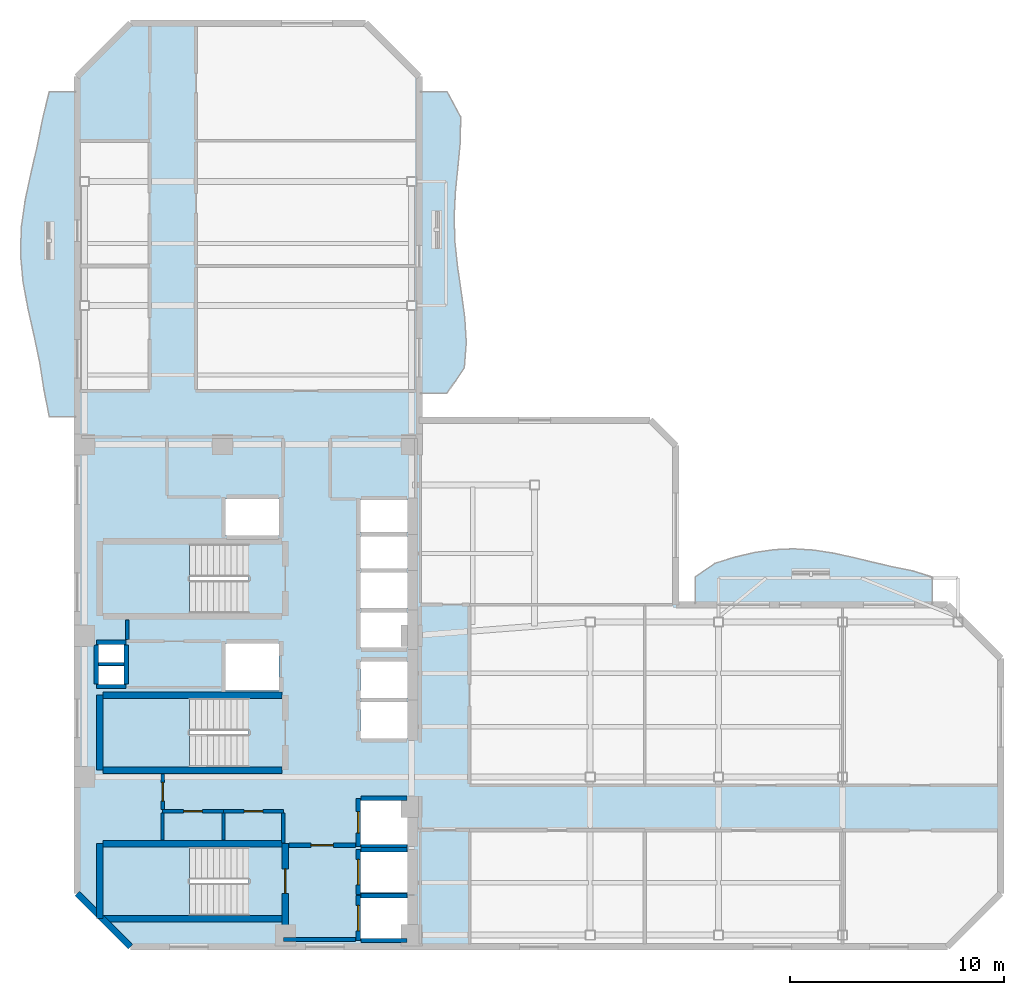
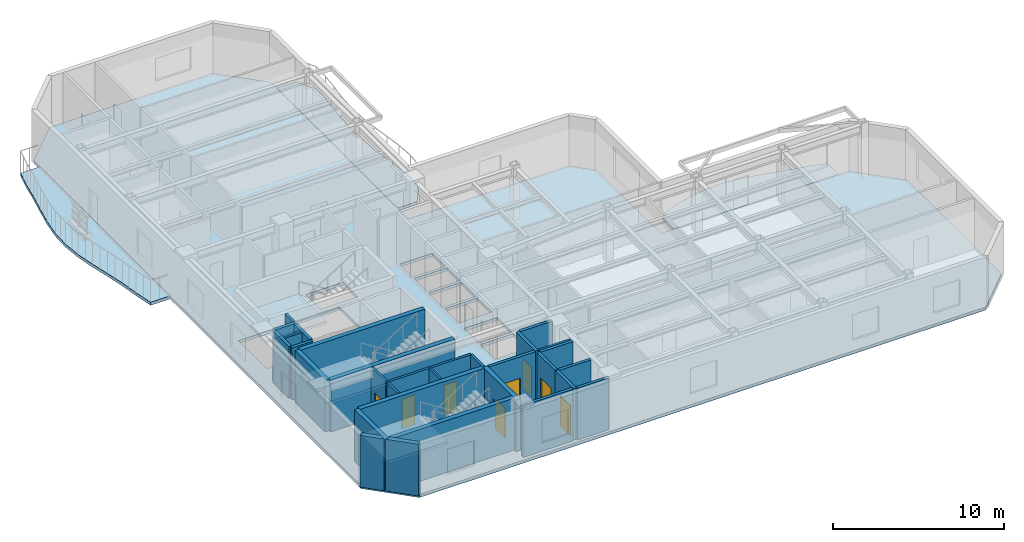
# One storey, part 2 of 9: 30 walls, 8 doors, 7 slabs, 8 openings, 3 elements without a shape of their own.
"""IFC4 building model written with IfcOpenShell, lengths in metres."""

import ifcopenshell
import ifcopenshell.guid

model = None  # the IFC model being written
_history = None  # IfcOwnerHistory: only IFC2X3 demands one
_inside = {}  # id of a spatial element -> (the spatial element, [elements in it])
_under = {}  # id of a project, library or spatial element -> (it, [spatial elements below it])
_declared = {}  # id of a project -> (the project, [libraries it declares])
_typed = {}  # id of a type object -> (the type object, [elements of that type])
_made_of = {}  # id of a material, layer set ... -> (it, [elements and type objects made of it])


def new_model(schema):
    """Start an empty IFC model of exactly this schema.

    Asked for "IFC4X3", IfcOpenShell would pick the latest addendum, in which some entities
    have other attributes; the version numbers below select the first issue.
    IFC2X3 requires an IfcOwnerHistory on every rooted entity: one is made here for all.
    """
    global model, _history
    if schema == "IFC4X3":
        model = ifcopenshell.file(schema_version=(4, 3, 0, 0))
    else:
        model = ifcopenshell.file(schema=schema)
    _inside.clear()
    _under.clear()
    _declared.clear()
    _typed.clear()
    _made_of.clear()
    _history = None
    if model.schema == "IFC2X3":
        org = make("IfcOrganization", Name="unknown")
        user = make(
            "IfcPersonAndOrganization",
            ThePerson=make("IfcPerson", FamilyName="unknown"),
            TheOrganization=org,
        )
        app = make(
            "IfcApplication",
            ApplicationDeveloper=org,
            Version="unknown",
            ApplicationFullName="unknown",
            ApplicationIdentifier="unknown",
        )
        _history = make(
            "IfcOwnerHistory",
            OwningUser=user,
            OwningApplication=app,
            ChangeAction="ADDED",
            CreationDate=0,
        )
    return model


def make(cls, **values):
    """One entity of the class cls with the attributes given. An attribute that is None is left unset."""
    return model.create_entity(
        cls, **{name: value for name, value in values.items() if value is not None}
    )


def rooted(cls, **values):
    """An entity with a GlobalId (a new one), such as an element, a storey or a relation."""
    return make(cls, GlobalId=ifcopenshell.guid.new(), OwnerHistory=_history, **values)


def si_unit(unit_type, name, prefix=None):
    """IfcSIUnit, for example si_unit("LENGTHUNIT", "METRE", prefix="MILLI")."""
    return make("IfcSIUnit", UnitType=unit_type, Prefix=prefix, Name=name)


def assignment(units):
    """IfcUnitAssignment: the units of a project."""
    return None if units is None else make("IfcUnitAssignment", Units=units)


def point(xyz):
    """IfcCartesianPoint."""
    return None if xyz is None else make("IfcCartesianPoint", Coordinates=xyz)


def direction(xyz):
    """IfcDirection."""
    return None if xyz is None else make("IfcDirection", DirectionRatios=xyz)


def frame(location, z_axis=None, x_axis=None):
    """IfcAxis2Placement3D, a coordinate frame: its origin and axes. An axis left out is left unset."""
    return make(
        "IfcAxis2Placement3D",
        Location=point(location),
        Axis=direction(z_axis),
        RefDirection=direction(x_axis),
    )


def frame_2d(location, x_axis=None):
    """IfcAxis2Placement2D, a coordinate frame in the plane: its origin and x axis."""
    return make(
        "IfcAxis2Placement2D", Location=point(location), RefDirection=direction(x_axis)
    )


def origin():
    """The frame at (0, 0, 0) with its axes left unset."""
    return frame((0.0, 0.0, 0.0))


def place(relative_to, where):
    """IfcLocalPlacement: puts the frame where relative to a parent placement (None: the world)."""
    return make(
        "IfcLocalPlacement", PlacementRelTo=relative_to, RelativePlacement=where
    )


def context(
    kind, dimensions, precision=None, world=None, true_north=None, identifier=None
):
    """IfcGeometricRepresentationContext, for example the 3D "Model" context."""
    return make(
        "IfcGeometricRepresentationContext",
        ContextIdentifier=identifier,
        ContextType=kind,
        CoordinateSpaceDimension=dimensions,
        Precision=precision,
        WorldCoordinateSystem=world,
        TrueNorth=true_north,
    )


def subcontext(parent, identifier, kind, view, scale=None):
    """IfcGeometricRepresentationSubContext, for example "Body" below "Model"."""
    return make(
        "IfcGeometricRepresentationSubContext",
        ContextIdentifier=identifier,
        ContextType=kind,
        ParentContext=parent,
        TargetScale=scale,
        TargetView=view,
    )


def project(units=None, contexts=None):
    """IfcProject with its units and contexts."""
    return rooted(
        "IfcProject",
        Name="project",
        RepresentationContexts=contexts,
        UnitsInContext=assignment(units),
    )


def spatial(cls, under=None, at=None, **own):
    """A site, building, storey or space (cls), placed at a placement, below another one or the project."""
    s = rooted(cls, ObjectPlacement=at, **own)
    if under is not None:
        _under.setdefault(under.id(), (under, []))[1].append(s)
    return s


def polyline(points):
    """IfcPolyline through the points."""
    return make("IfcPolyline", Points=[point(p) for p in points])


def profile(cls, at=None, kind="AREA", **sizes):
    """A parametric profile (cls). Its sizes go by their IFC names, for example OverallWidth=200.0."""
    return make(cls, ProfileType=kind, Position=at, **sizes)


def rectangle(**sizes):
    """IfcRectangleProfileDef."""
    return profile("IfcRectangleProfileDef", **sizes)


def outline(outer, holes=None, kind="AREA"):
    """IfcArbitraryClosedProfileDef: a profile drawn as a closed curve; with holes, ...WithVoids."""
    if holes is None:
        return make("IfcArbitraryClosedProfileDef", ProfileType=kind, OuterCurve=outer)
    return make(
        "IfcArbitraryProfileDefWithVoids",
        ProfileType=kind,
        OuterCurve=outer,
        InnerCurves=holes,
    )


def extrude(swept, where, along, depth):
    """IfcExtrudedAreaSolid: the profile swept, set in the frame where, extruded along a direction by depth."""
    return make(
        "IfcExtrudedAreaSolid",
        SweptArea=swept,
        Position=where,
        ExtrudedDirection=direction(along),
        Depth=depth,
    )


def shape(context_of_items, identifier, shape_type, items):
    """IfcShapeRepresentation: the items that make up one representation, for example the "Body"."""
    return make(
        "IfcShapeRepresentation",
        ContextOfItems=context_of_items,
        RepresentationIdentifier=identifier,
        RepresentationType=shape_type,
        Items=items,
    )


def material(Name=None, Category=None):
    """IfcMaterial."""
    return make("IfcMaterial", Name=Name, Category=Category)


def layer(
    of_material, thickness, ventilated=None, Name=None, Category=None, Priority=None
):
    """IfcMaterialLayer: one layer of a wall or slab, of a material (None: an air gap)."""
    return make(
        "IfcMaterialLayer",
        Material=of_material,
        LayerThickness=thickness,
        IsVentilated=ventilated,
        Name=Name,
        Category=Category,
        Priority=Priority,
    )


def layer_set(layers, Name=None):
    """IfcMaterialLayerSet."""
    return make("IfcMaterialLayerSet", MaterialLayers=layers, LayerSetName=Name)


def made_of(thing, what):
    """Note that an element or type object is made of a material, layer set ...; save() writes the relation."""
    if what is not None:
        _made_of.setdefault(what.id(), (what, []))[1].append(thing)
    return thing


def type_object(cls, material=None, **own):
    """A type object (cls), such as IfcWallType, which elements share."""
    return made_of(rooted(cls, **own), material)


def element(
    cls,
    number,
    at=None,
    inside=None,
    cuts=None,
    type_object=None,
    material=None,
    context=None,
    identifier="Body",
    shape_type=None,
    held_by="IfcProductDefinitionShape",
    body=None,
    shapes=None,
    **own,
):
    """One element of the class cls, such as IfcWall. Its Tag is "e" and its number.

    at: its placement. inside: the storey or other place that contains it. cuts: it is an
    opening in that element (IfcRelVoidsElement). A single representation is given by context,
    identifier, shape_type and body (its items); several are given by shapes. held_by: the class
    of the entity that holds the representations. save() writes the other relations.
    """
    e = rooted(cls, Tag="e%d" % number, ObjectPlacement=at, **own)
    if body is not None:
        shapes = [shape(context, identifier, shape_type, body)]
    if shapes is not None:
        e.Representation = make(held_by, Representations=shapes)
    if inside is not None:
        _inside.setdefault(inside.id(), (inside, []))[1].append(e)
    if cuts is not None:
        rooted(
            "IfcRelVoidsElement", RelatingBuildingElement=cuts, RelatedOpeningElement=e
        )
    if type_object is not None:
        _typed.setdefault(type_object.id(), (type_object, []))[1].append(e)
    return made_of(e, material)


def fill(opening, filler):
    """IfcRelFillsElement: the door or window that sits in an opening."""
    return rooted(
        "IfcRelFillsElement",
        RelatingOpeningElement=opening,
        RelatedBuildingElement=filler,
    )


def aggregate(whole, parts):
    """IfcRelAggregates: a whole, such as a stair, and the parts it consists of."""
    return rooted("IfcRelAggregates", RelatingObject=whole, RelatedObjects=parts)


def save(model, path):
    """Write the relations noted so far, then the file.

    IfcRelAggregates (storeys below a building ...), IfcRelContainedInSpatialStructure (elements
    in a storey), IfcRelDefinesByType, IfcRelAssociatesMaterial and IfcRelDeclares: one each for
    every whole, place, type object, material and project.
    """
    for whole, parts in _under.values():
        aggregate(whole, parts)
    for where, things in _inside.values():
        rooted(
            "IfcRelContainedInSpatialStructure",
            RelatedElements=things,
            RelatingStructure=where,
        )
    for kind, things in _typed.values():
        rooted("IfcRelDefinesByType", RelatedObjects=things, RelatingType=kind)
    for what, things in _made_of.values():
        rooted("IfcRelAssociatesMaterial", RelatedObjects=things, RelatingMaterial=what)
    for by, libraries in _declared.values():
        rooted("IfcRelDeclares", RelatingContext=by, RelatedDefinitions=libraries)
    model.write(path)


model = new_model("IFC4")

# Units and contexts
model_context = context("Model", 3, precision=1e-05, world=origin(), true_north=direction((0.0, 1.0)))
body_context = subcontext(model_context, "Body", "Model", "MODEL_VIEW")
ifc_project = project(units=[si_unit("LENGTHUNIT", "METRE"), si_unit("AREAUNIT", "SQUARE_METRE"), si_unit("VOLUMEUNIT", "CUBIC_METRE"), si_unit("PLANEANGLEUNIT", "RADIAN"), si_unit("MASSUNIT", "GRAM", prefix="KILO")], contexts=[model_context])

# Site, building, storey
site_placement = place(None, origin())
site = spatial("IfcSite", under=ifc_project, at=site_placement, CompositionType="ELEMENT")
building_placement = place(site_placement, origin())
building = spatial("IfcBuilding", under=site, at=building_placement, Name="Mawjaban Terraces University", CompositionType="ELEMENT")
storey_placement = place(building_placement, frame((0.0, 0.0, 175.800048828125)))
storey = spatial("IfcBuildingStorey", under=building, at=storey_placement, Name="L42", CompositionType="ELEMENT", Elevation=175.800048828125)

# Slabs
ifc_material_1 = material(Name="Concrete C40/50", Category="concrete")
ifc_layer_1 = layer(ifc_material_1, 0.2099609375)
ifc_layer_set_1 = layer_set([ifc_layer_1], Name="Concrete C40/50")
slab_type_1 = type_object("IfcSlabType", Name="BalconySlab_210_Ext", PredefinedType="FLOOR", material=ifc_layer_set_1)
slab_1_placement = place(storey_placement, frame((0.0, 0.0, -0.2099609375)))
element("IfcSlab", 1, at=slab_1_placement, inside=storey, type_object=slab_type_1, Name="L42 Planted Balcony Slab west", PredefinedType="FLOOR", context=body_context, shape_type="SweptSolid", body=[
    extrude(outline(polyline([(22.010009765625, 24.800048828125), (22.010009765625, 40.0), (20.699951171875, 40.0), (20.39111328125, 38.73291015625), (20.14111328125, 37.467041015625), (19.847900390625, 36.199951171875), (19.575927734375, 34.93310546875), (19.39501953125, 33.6669921875), (19.35595703125, 32.39990234375), (19.469970703125, 31.133056640625), (19.701904296875, 29.866943359375), (19.988037109375, 28.60009765625), (20.25390625, 27.3330078125), (20.450927734375, 26.06689453125), (20.699951171875, 24.800048828125), (22.010009765625, 24.800048828125)])), origin(), (0.0, 0.0, 1.0), 0.2099609375),
])
slab_2_placement = place(storey_placement, frame((0.0, 0.0, -0.2099609375)))
element("IfcSlab", 2, at=slab_2_placement, inside=storey, type_object=slab_type_1, Name="L42 Planted Balcony Slab inner_north", PredefinedType="FLOOR", context=body_context, shape_type="SweptSolid", body=[
    extrude(outline(polyline([(50.89990234375, 15.989990234375), (62.0, 15.989990234375), (62.0, 17.300048828125), (61.074951171875, 17.587890625), (60.14990234375, 17.77490234375), (59.22509765625, 17.989990234375), (58.300048828125, 18.215087890625), (57.375, 18.416015625), (56.449951171875, 18.55908203125), (55.52490234375, 18.618896484375), (54.60009765625, 18.580078125), (53.675048828125, 18.445068359375), (52.75, 18.22607421875), (51.824951171875, 17.93798828125), (50.89990234375, 17.300048828125), (50.89990234375, 15.989990234375)])), origin(), (0.0, 0.0, 1.0), 0.2099609375),
])
slab_3_placement = place(storey_placement, frame((0.0, 0.0, -0.2099609375)))
element("IfcSlab", 3, at=slab_3_placement, inside=storey, type_object=slab_type_1, Name="L42 Planted Balcony Slab inner_east", PredefinedType="FLOOR", context=body_context, shape_type="SweptSolid", body=[
    extrude(outline(polyline([(39.300048828125, 25.89990234375), (40.10791015625, 27.074951171875), (40.201904296875, 28.25), (40.131103515625, 29.425048828125), (39.971923828125, 30.60009765625), (39.798095703125, 31.77490234375), (39.672119140625, 32.949951171875), (39.635009765625, 34.125), (39.69189453125, 35.300048828125), (39.80908203125, 36.47509765625), (39.923095703125, 37.64990234375), (39.93798828125, 38.824951171875), (39.300048828125, 40.0), (37.989990234375, 40.0), (37.989990234375, 25.89990234375), (39.300048828125, 25.89990234375)])), origin(), (0.0, 0.0, 1.0), 0.2099609375),
])
ifc_layer_2 = layer(ifc_material_1, 0.2099609375)
ifc_layer_set_2 = layer_set([ifc_layer_2], Name="Concrete C40/50")
slab_type_2 = type_object("IfcSlabType", Name="CompositeSlab_210", PredefinedType="FLOOR", material=ifc_layer_set_2)
slab_4_placement = place(storey_placement, frame((0.0, 0.0, -0.2099609375)))
element("IfcSlab", 4, at=slab_4_placement, inside=storey, type_object=slab_type_2, Name="L42 Primary Structural Slab", PredefinedType="FLOOR", context=body_context, shape_type="SweptSolid", body=[
    extrude(outline(polyline([(24.5, 0.0), (62.699951171875, 0.0), (65.199951171875, 2.5), (65.199951171875, 13.5), (62.699951171875, 16.0), (50.0, 16.0), (50.0, 23.43994140625), (48.800048828125, 24.639892578125), (38.0, 24.639892578125), (38.0, 40.699951171875), (35.5, 43.199951171875), (24.5, 43.199951171875), (22.0, 40.699951171875), (22.0, 2.5), (24.5, 0.0)]), holes=[polyline([(30.014892578125, 4.699951171875), (23.199951171875, 4.699951171875), (23.199951171875, 1.449951171875), (30.014892578125, 1.449951171875), (30.014892578125, 4.699951171875)]), polyline([(30.014892578125, 18.85009765625), (23.199951171875, 18.85009765625), (23.199951171875, 15.60009765625), (30.014892578125, 15.60009765625), (30.014892578125, 18.85009765625)]), polyline([(30.014892578125, 11.64990234375), (23.199951171875, 11.64990234375), (23.199951171875, 8.39990234375), (30.014892578125, 8.39990234375), (30.014892578125, 11.64990234375)]), polyline([(35.25, 0.39990234375), (37.449951171875, 0.39990234375), (37.449951171875, 2.300048828125), (35.25, 2.300048828125), (35.25, 0.39990234375)]), polyline([(35.25, 2.550048828125), (37.449951171875, 2.550048828125), (37.449951171875, 4.449951171875), (35.25, 4.449951171875), (35.25, 2.550048828125)]), polyline([(35.25, 4.800048828125), (37.449951171875, 4.800048828125), (37.449951171875, 6.85009765625), (35.25, 6.85009765625), (35.25, 4.800048828125)]), polyline([(35.25, 9.75), (37.449951171875, 9.75), (37.449951171875, 11.449951171875), (35.25, 11.449951171875), (35.25, 9.75)]), polyline([(35.25, 11.64990234375), (37.449951171875, 11.64990234375), (37.449951171875, 13.35009765625), (35.25, 13.35009765625), (35.25, 11.64990234375)]), polyline([(28.949951171875, 12.0), (31.449951171875, 12.0), (31.449951171875, 14.199951171875), (28.949951171875, 14.199951171875), (28.949951171875, 12.0)]), polyline([(35.25, 14.0), (37.449951171875, 14.0), (37.449951171875, 15.64990234375), (35.25, 15.64990234375), (35.25, 14.0)]), polyline([(35.25, 15.85009765625), (37.449951171875, 15.85009765625), (37.449951171875, 17.5), (35.25, 17.5), (35.25, 15.85009765625)]), polyline([(35.25, 17.699951171875), (37.449951171875, 17.699951171875), (37.449951171875, 19.199951171875), (35.25, 19.199951171875), (35.25, 17.699951171875)]), polyline([(35.25, 19.39990234375), (37.449951171875, 19.39990234375), (37.449951171875, 20.89990234375), (35.25, 20.89990234375), (35.25, 19.39990234375)]), polyline([(28.949951171875, 19.25), (31.449951171875, 19.25), (31.449951171875, 20.949951171875), (28.949951171875, 20.949951171875), (28.949951171875, 19.25)]), polyline([(23.0, 12.25), (24.199951171875, 12.25), (24.199951171875, 13.14990234375), (23.0, 13.14990234375), (23.0, 12.25)]), polyline([(23.0, 13.300048828125), (24.199951171875, 13.300048828125), (24.199951171875, 14.179931640625), (23.0, 14.179931640625), (23.0, 13.300048828125)])]), origin(), (0.0, 0.0, 1.0), 0.2099609375),
])

# Stair, slab
stair_type = type_object("IfcStairType", Name="Stair_Core1550_H39", PredefinedType="HALF_TURN_STAIR", material=ifc_material_1)
stair_1_placement = place(storey_placement, origin())
stair_1 = element("IfcStair", 5, at=stair_1_placement, inside=storey, type_object=stair_type, Name="L42 Core Exit Stair 1", PredefinedType="HALF_TURN_STAIR")
ifc_layer_3 = layer(ifc_material_1, 0.199951171875)
ifc_layer_set_3 = layer_set([ifc_layer_3], Name="Concrete C40/50")
slab_type_3 = type_object("IfcSlabType", Name="StairLandingSlab_200", PredefinedType="LANDING", material=ifc_layer_set_3)
slab_5_placement = place(storey_placement, frame((0.0, 0.0, 1.75)))
slab_5 = element("IfcSlab", 6, at=slab_5_placement, type_object=slab_type_3, Name="ST-1 landing 1", PredefinedType="LANDING", context=body_context, shape_type="SweptSolid", body=[
    extrude(outline(polyline([(27.25, 4.699951171875), (23.199951171875, 4.699951171875), (23.199951171875, 1.449951171875), (27.25, 1.449951171875), (27.25, 4.699951171875)])), origin(), (0.0, 0.0, 1.0), 0.199951171875),
])
aggregate(stair_1, [slab_5])

stair_2_placement = place(storey_placement, origin())
stair_2 = element("IfcStair", 7, at=stair_2_placement, inside=storey, type_object=stair_type, Name="L42 Core Exit Stair 2", PredefinedType="HALF_TURN_STAIR")
slab_6_placement = place(storey_placement, frame((0.0, 0.0, 1.75)))
slab_6 = element("IfcSlab", 8, at=slab_6_placement, type_object=slab_type_3, Name="ST-2 landing 1", PredefinedType="LANDING", context=body_context, shape_type="SweptSolid", body=[
    extrude(outline(polyline([(27.25, 18.85009765625), (23.199951171875, 18.85009765625), (23.199951171875, 15.60009765625), (27.25, 15.60009765625), (27.25, 18.85009765625)])), origin(), (0.0, 0.0, 1.0), 0.199951171875),
])
aggregate(stair_2, [slab_6])

stair_3_placement = place(storey_placement, origin())
stair_3 = element("IfcStair", 9, at=stair_3_placement, inside=storey, type_object=stair_type, Name="L42 Core Exit Stair 3", PredefinedType="HALF_TURN_STAIR")
slab_7_placement = place(storey_placement, frame((0.0, 0.0, 1.75)))
slab_7 = element("IfcSlab", 10, at=slab_7_placement, type_object=slab_type_3, Name="ST-3 landing 1", PredefinedType="LANDING", context=body_context, shape_type="SweptSolid", body=[
    extrude(outline(polyline([(27.25, 11.64990234375), (23.199951171875, 11.64990234375), (23.199951171875, 8.39990234375), (27.25, 8.39990234375), (27.25, 11.64990234375)])), origin(), (0.0, 0.0, 1.0), 0.199951171875),
])
aggregate(stair_3, [slab_7])

# Wall, opening, door
ifc_material_2 = material(Name="Fire-rated gypsum board on steel stud", Category="steel")
ifc_layer_4 = layer(ifc_material_2, 0.159912109375)
ifc_layer_set_4 = layer_set([ifc_layer_4], Name="Fire-rated gypsum board on steel stud")
wall_type_1 = type_object("IfcWallType", Name="CorridorPartition_160", PredefinedType="PARTITIONING", material=ifc_layer_set_4)
wall_1_placement = place(storey_placement, frame((26.0, 6.35009765625, 0.0), z_axis=(0.0, 0.0, 1.0), x_axis=(1.0, 0.0, 0.0)))
wall_1 = element("IfcWall", 11, at=wall_1_placement, inside=storey, type_object=wall_type_1, Name="L42 Core Washroom Lobby Partition 6", PredefinedType="PARTITIONING", context=body_context, shape_type="SweptSolid", body=[
    extrude(rectangle(XDim=2.85009765625, YDim=0.159912109375, at=frame_2d((1.425048828125, 0.0))), origin(), (0.0, 0.0, 1.0), 3.68994140625),
])
opening_1_placement = place(wall_1_placement, frame((0.985107421875, 0.0, 0.0)))
opening_1 = element("IfcOpeningElement", 12, at=opening_1_placement, cuts=wall_1, Name="Opening ID-088", PredefinedType="OPENING", context=body_context, shape_type="SweptSolid", body=[
    extrude(rectangle(XDim=0.8798828125, YDim=2.10009765625, at=frame_2d((0.43994140625, 1.050048828125))), frame((0.0, 0.08984375, 0.0), z_axis=(0.0, -1.0, 0.0), x_axis=(1.0, 0.0, 0.0)), (0.0, 0.0, 1.0), 0.179931640625),
])
ifc_material_3 = material(Name="Powder-coated steel frame and solid acoustic timber leaf", Category="steel")
door_type_1 = type_object("IfcDoorType", Name="ToiletDoor_880x2100", OperationType="NOTDEFINED", PredefinedType="DOOR", material=ifc_material_3)
door_1_placement = place(opening_1_placement, origin())
door_1 = element("IfcDoor", 13, at=door_1_placement, inside=storey, type_object=door_type_1, Name="L42 Male Toilet Door", OperationType="SINGLE_SWING_RIGHT", OverallHeight=2.10009765625, OverallWidth=0.8798828125, PredefinedType="DOOR", context=body_context, shape_type="SweptSolid", body=[
    extrude(rectangle(XDim=0.8798828125, YDim=2.10009765625, at=frame_2d((0.43994140625, 1.050048828125))), frame((0.0, 0.02490234375, 0.0), z_axis=(0.0, -1.0, 0.0), x_axis=(1.0, 0.0, 0.0)), (0.0, 0.0, 1.0), 0.050048828125),
])
fill(opening_1, door_1)

wall_2_placement = place(storey_placement, frame((28.85009765625, 6.35009765625, 0.0), z_axis=(0.0, 0.0, 1.0), x_axis=(1.0, 0.0, 0.0)))
wall_2 = element("IfcWall", 14, at=wall_2_placement, inside=storey, type_object=wall_type_1, Name="L42 Core Washroom Lobby Partition 9", PredefinedType="PARTITIONING", context=body_context, shape_type="SweptSolid", body=[
    extrude(rectangle(XDim=2.7998046875, YDim=0.159912109375, at=frame_2d((1.39990234375, 0.0))), origin(), (0.0, 0.0, 1.0), 3.68994140625),
])
opening_2_placement = place(wall_2_placement, frame((0.9599609375, 0.0, 0.0)))
opening_2 = element("IfcOpeningElement", 15, at=opening_2_placement, cuts=wall_2, Name="Opening ID-088", PredefinedType="OPENING", context=body_context, shape_type="SweptSolid", body=[
    extrude(rectangle(XDim=0.8798828125, YDim=2.10009765625, at=frame_2d((0.43994140625, 1.050048828125))), frame((0.0, 0.08984375, 0.0), z_axis=(0.0, -1.0, 0.0), x_axis=(1.0, 0.0, 0.0)), (0.0, 0.0, 1.0), 0.179931640625),
])
door_2_placement = place(opening_2_placement, origin())
door_2 = element("IfcDoor", 16, at=door_2_placement, inside=storey, type_object=door_type_1, Name="L42 Accessible Toilet Door", OperationType="SINGLE_SWING_LEFT", OverallHeight=2.10009765625, OverallWidth=0.8798828125, PredefinedType="DOOR", context=body_context, shape_type="SweptSolid", body=[
    extrude(rectangle(XDim=0.8798828125, YDim=2.10009765625, at=frame_2d((0.43994140625, 1.050048828125))), frame((0.0, 0.02490234375, 0.0), z_axis=(0.0, -1.0, 0.0), x_axis=(1.0, 0.0, 0.0)), (0.0, 0.0, 1.0), 0.050048828125),
])
fill(opening_2, door_2)

# Wall
wall_3_placement = place(storey_placement, frame((24.35009765625, 15.2900390625, 0.0), z_axis=(0.0, 0.0, 1.0), x_axis=(0.0, -1.0, 0.0)))
element("IfcWall", 17, at=wall_3_placement, inside=storey, type_object=wall_type_1, Name="L42 Core Riser Access Passage Partition 28", PredefinedType="PARTITIONING", context=body_context, shape_type="SweptSolid", body=[
    extrude(rectangle(XDim=0.9150390625, YDim=0.159912109375, at=frame_2d((0.45751953125, 0.0))), origin(), (0.0, 0.0, 1.0), 3.68994140625),
])

# Wall, opening, door
wall_4_placement = place(storey_placement, frame((26.0, 8.090087890625, 0.0), z_axis=(0.0, 0.0, 1.0), x_axis=(0.0, -1.0, 0.0)))
wall_4 = element("IfcWall", 18, at=wall_4_placement, inside=storey, type_object=wall_type_1, Name="L42 Core Washroom Lobby Partition 33", PredefinedType="PARTITIONING", context=body_context, shape_type="SweptSolid", body=[
    extrude(rectangle(XDim=1.6650390625, YDim=0.159912109375, at=frame_2d((0.83251953125, 0.0))), origin(), (0.0, 0.0, 1.0), 3.68994140625),
])
opening_3_placement = place(wall_4_placement, frame((0.39306640625, 0.0, 0.0)))
opening_3 = element("IfcOpeningElement", 19, at=opening_3_placement, cuts=wall_4, Name="Opening ID-088", PredefinedType="OPENING", context=body_context, shape_type="SweptSolid", body=[
    extrude(rectangle(XDim=0.8798828125, YDim=2.10009765625, at=frame_2d((0.43994140625, 1.050048828125))), frame((0.0, 0.08984375, 0.0), z_axis=(0.0, -1.0, 0.0), x_axis=(1.0, 0.0, 0.0)), (0.0, 0.0, 1.0), 0.179931640625),
])
door_3_placement = place(opening_3_placement, origin())
door_3 = element("IfcDoor", 20, at=door_3_placement, inside=storey, type_object=door_type_1, Name="L42 Ablution Room Door", OperationType="SINGLE_SWING_LEFT", OverallHeight=2.10009765625, OverallWidth=0.8798828125, PredefinedType="DOOR", context=body_context, shape_type="SweptSolid", body=[
    extrude(rectangle(XDim=0.8798828125, YDim=2.10009765625, at=frame_2d((0.43994140625, 1.050048828125))), frame((0.0, 0.02490234375, 0.0), z_axis=(0.0, -1.0, 0.0), x_axis=(1.0, 0.0, 0.0)), (0.0, 0.0, 1.0), 0.050048828125),
])
fill(opening_3, door_3)

# Walls
wall_5_placement = place(storey_placement, frame((31.64990234375, 4.860107421875, 0.0), z_axis=(0.0, 0.0, 1.0), x_axis=(0.0, 1.0, 0.0)))
element("IfcWall", 21, at=wall_5_placement, inside=storey, type_object=wall_type_1, Name="L42 Accessible Toilet Partition 39", PredefinedType="PARTITIONING", context=body_context, shape_type="SweptSolid", body=[
    extrude(rectangle(XDim=1.414794921875, YDim=0.159912109375, at=frame_2d((0.70751953125, 0.0))), origin(), (0.0, 0.0, 1.0), 3.68994140625),
])
ifc_material_4 = material(Name="Insulated terracotta rainscreen on concrete backup C40/50", Category="masonry")
ifc_layer_5 = layer(ifc_material_4, 0.300048828125)
ifc_layer_set_5 = layer_set([ifc_layer_5], Name="Insulated terracotta rainscreen on concrete backup C40/50")
wall_type_2 = type_object("IfcWallType", Name="ExtTerracottaWall_300", PredefinedType="SOLIDWALL", material=ifc_layer_set_5)
wall_6_placement = place(storey_placement, frame((22.0, 2.5, 0.0), z_axis=(0.0, 0.0, 1.0), x_axis=(0.707106781187, -0.707106781187, 0.0)))
element("IfcWall", 22, at=wall_6_placement, inside=storey, type_object=wall_type_2, Name="L42 Exterior Terracotta Wall 14", PredefinedType="SOLIDWALL", context=body_context, shape_type="SweptSolid", body=[
    extrude(rectangle(XDim=3.53564453125, YDim=0.300048828125, at=frame_2d((1.767822265625, 0.0))), origin(), (0.0, 0.0, 1.0), 3.68994140625),
])

# Wall, opening, door
ifc_layer_6 = layer(ifc_material_1, 0.199951171875)
ifc_layer_set_6 = layer_set([ifc_layer_6], Name="Concrete C40/50")
wall_type_3 = type_object("IfcWallType", Name="FireLobbyWall_200", PredefinedType="SOLIDWALL", material=ifc_layer_set_6)
wall_7_placement = place(storey_placement, frame((35.14990234375, 2.39990234375, 0.0), z_axis=(0.0, 0.0, 1.0), x_axis=(0.0, -1.0, 0.0)))
wall_7 = element("IfcWall", 23, at=wall_7_placement, inside=storey, type_object=wall_type_3, Name="L42 Lift FL-1 Hoistway Wall West", PredefinedType="SOLIDWALL", context=body_context, shape_type="SweptSolid", body=[
    extrude(rectangle(XDim=2.099853515625, YDim=0.199951171875, at=frame_2d((1.0498046875, 0.0))), origin(), (0.0, 0.0, 1.0), 3.68994140625),
])
opening_4_placement = place(wall_7_placement, frame((0.449951171875, 0.0, 0.0)))
opening_4 = element("IfcOpeningElement", 24, at=opening_4_placement, cuts=wall_7, Name="Opening LD-FL-1", PredefinedType="OPENING", context=body_context, shape_type="SweptSolid", body=[
    extrude(rectangle(XDim=1.199951171875, YDim=2.14990234375, at=frame_2d((0.60009765625, 1.074951171875))), frame((0.0, 0.10986328125, 0.0), z_axis=(0.0, -1.0, 0.0), x_axis=(1.0, 0.0, 0.0)), (0.0, 0.0, 1.0), 0.219970703125),
])
ifc_material_5 = material(Name="Powder-coated steel frame and fire-rated steel-faced leaf", Category="steel")
door_type_2 = type_object("IfcDoorType", Name="LiftLandingFSAE_1200x2150", OperationType="NOTDEFINED", PredefinedType="DOOR", material=ifc_material_5)
door_4_placement = place(opening_4_placement, origin())
door_4 = element("IfcDoor", 25, at=door_4_placement, inside=storey, type_object=door_type_2, Name="L42 Lift FL-1 Sliding Landing Door", OperationType="DOUBLE_DOOR_SLIDING", OverallHeight=2.14990234375, OverallWidth=1.199951171875, PredefinedType="DOOR", context=body_context, shape_type="SweptSolid", body=[
    extrude(rectangle(XDim=1.199951171875, YDim=2.14990234375, at=frame_2d((0.60009765625, 1.074951171875))), frame((0.0, 0.02490234375, 0.0), z_axis=(0.0, -1.0, 0.0), x_axis=(1.0, 0.0, 0.0)), (0.0, 0.0, 1.0), 0.050048828125),
])
fill(opening_4, door_4)

# Walls
for number, where, z_axis, x_axis, name in (
    (26, (35.280029296875, 0.300048828125, 0.0), (0.0, 0.0, 1.0), (1.0, 0.0, 0.0), "L42 Lift FL-1 Hoistway Wall South"),
    (27, (37.419921875, 2.39990234375, 0.0), (0.0, 0.0, 1.0), (-1.0, 0.0, 0.0), "L42 Lift FL-1 Hoistway Wall North"),
):
    element("IfcWall", number, at=place(storey_placement, frame(where, z_axis=z_axis, x_axis=x_axis)), inside=storey, type_object=wall_type_3, Name=name, PredefinedType="SOLIDWALL", context=body_context, shape_type="SweptSolid", body=[
        extrude(rectangle(XDim=2.139892578125, YDim=0.199951171875, at=frame_2d((1.06982421875, 0.0))), origin(), (0.0, 0.0, 1.0), 3.68994140625),
    ])

# Wall, opening, door
wall_8_placement = place(storey_placement, frame((35.14990234375, 4.550048828125, 0.0), z_axis=(0.0, 0.0, 1.0), x_axis=(0.0, -1.0, 0.0)))
wall_8 = element("IfcWall", 28, at=wall_8_placement, inside=storey, type_object=wall_type_3, Name="L42 Lift FL-2 Hoistway Wall West", PredefinedType="SOLIDWALL", context=body_context, shape_type="SweptSolid", body=[
    extrude(rectangle(XDim=2.10009765625, YDim=0.199951171875, at=frame_2d((1.050048828125, 0.0))), origin(), (0.0, 0.0, 1.0), 3.68994140625),
])
opening_5_placement = place(wall_8_placement, frame((0.449951171875, 0.0, 0.0)))
opening_5 = element("IfcOpeningElement", 29, at=opening_5_placement, cuts=wall_8, Name="Opening LD-FL-2", PredefinedType="OPENING", context=body_context, shape_type="SweptSolid", body=[
    extrude(rectangle(XDim=1.199951171875, YDim=2.14990234375, at=frame_2d((0.60009765625, 1.074951171875))), frame((0.0, 0.10986328125, 0.0), z_axis=(0.0, -1.0, 0.0), x_axis=(1.0, 0.0, 0.0)), (0.0, 0.0, 1.0), 0.219970703125),
])
door_5_placement = place(opening_5_placement, origin())
door_5 = element("IfcDoor", 30, at=door_5_placement, inside=storey, type_object=door_type_2, Name="L42 Lift FL-2 Sliding Landing Door", OperationType="DOUBLE_DOOR_SLIDING", OverallHeight=2.14990234375, OverallWidth=1.199951171875, PredefinedType="DOOR", context=body_context, shape_type="SweptSolid", body=[
    extrude(rectangle(XDim=1.199951171875, YDim=2.14990234375, at=frame_2d((0.60009765625, 1.074951171875))), frame((0.0, 0.02490234375, 0.0), z_axis=(0.0, -1.0, 0.0), x_axis=(1.0, 0.0, 0.0)), (0.0, 0.0, 1.0), 0.050048828125),
])
fill(opening_5, door_5)

# Wall
wall_9_placement = place(storey_placement, frame((37.419921875, 4.550048828125, 0.0), z_axis=(0.0, 0.0, 1.0), x_axis=(-1.0, 0.0, 0.0)))
element("IfcWall", 31, at=wall_9_placement, inside=storey, type_object=wall_type_3, Name="L42 Lift FL-2 Hoistway Wall North", PredefinedType="SOLIDWALL", context=body_context, shape_type="SweptSolid", body=[
    extrude(rectangle(XDim=2.139892578125, YDim=0.199951171875, at=frame_2d((1.06982421875, 0.0))), origin(), (0.0, 0.0, 1.0), 3.68994140625),
])

# Wall, opening, door
wall_10_placement = place(storey_placement, frame((35.14990234375, 6.949951171875, 0.0), z_axis=(0.0, 0.0, 1.0), x_axis=(0.0, -1.0, 0.0)))
wall_10 = element("IfcWall", 32, at=wall_10_placement, inside=storey, type_object=wall_type_3, Name="L42 Lift SL-1 Hoistway Wall West", PredefinedType="SOLIDWALL", context=body_context, shape_type="SweptSolid", body=[
    extrude(rectangle(XDim=2.25, YDim=0.199951171875, at=frame_2d((1.125, 0.0))), origin(), (0.0, 0.0, 1.0), 3.68994140625),
])
opening_6_placement = place(wall_10_placement, frame((0.625, 0.0, 0.0)))
opening_6 = element("IfcOpeningElement", 33, at=opening_6_placement, cuts=wall_10, Name="Opening LD-SL-1", PredefinedType="OPENING", context=body_context, shape_type="SweptSolid", body=[
    extrude(rectangle(XDim=1.0, YDim=2.10009765625, at=frame_2d((0.5, 1.050048828125))), frame((0.0, 0.10986328125, 0.0), z_axis=(0.0, -1.0, 0.0), x_axis=(1.0, 0.0, 0.0)), (0.0, 0.0, 1.0), 0.219970703125),
])
door_type_3 = type_object("IfcDoorType", Name="LiftLandingSliding_1000x2100", OperationType="NOTDEFINED", PredefinedType="DOOR", material=ifc_material_5)
door_6_placement = place(opening_6_placement, origin())
door_6 = element("IfcDoor", 34, at=door_6_placement, inside=storey, type_object=door_type_3, Name="L42 Lift SL-1 Sliding Landing Door", OperationType="DOUBLE_DOOR_SLIDING", OverallHeight=2.10009765625, OverallWidth=1.0, PredefinedType="DOOR", context=body_context, shape_type="SweptSolid", body=[
    extrude(rectangle(XDim=1.0, YDim=2.10009765625, at=frame_2d((0.5, 1.050048828125))), frame((0.0, 0.02490234375, 0.0), z_axis=(0.0, -1.0, 0.0), x_axis=(1.0, 0.0, 0.0)), (0.0, 0.0, 1.0), 0.050048828125),
])
fill(opening_6, door_6)

# Walls
for number, where, z_axis, x_axis, name in (
    (35, (35.280029296875, 4.699951171875, 0.0), (0.0, 0.0, 1.0), (1.0, 0.0, 0.0), "L42 Lift SL-1 Hoistway Wall South"),
    (36, (37.419921875, 6.949951171875, 0.0), (0.0, 0.0, 1.0), (-1.0, 0.0, 0.0), "L42 Lift SL-1 Hoistway Wall North"),
):
    element("IfcWall", number, at=place(storey_placement, frame(where, z_axis=z_axis, x_axis=x_axis)), inside=storey, type_object=wall_type_3, Name=name, PredefinedType="SOLIDWALL", context=body_context, shape_type="SweptSolid", body=[
        extrude(rectangle(XDim=2.139892578125, YDim=0.199951171875, at=frame_2d((1.06982421875, 0.0))), origin(), (0.0, 0.0, 1.0), 3.68994140625),
    ])
for number, where, z_axis, x_axis, name in (
    (37, (22.89990234375, 14.25, 0.0), (0.0, 0.0, 1.0), (1.0, 0.0, 0.0), "L42 MEP Riser Shaft Wall N"),
    (38, (22.89990234375, 12.179931640625, 0.0), (0.0, 0.0, 1.0), (1.0, 0.0, 0.0), "L42 MEP Riser Shaft Wall S"),
):
    element("IfcWall", number, at=place(storey_placement, frame(where, z_axis=z_axis, x_axis=x_axis)), inside=storey, type_object=wall_type_3, Name=name, PredefinedType="SOLIDWALL", context=body_context, shape_type="SweptSolid", body=[
        extrude(rectangle(XDim=1.400146484375, YDim=0.199951171875, at=frame_2d((0.7001953125, 0.0))), origin(), (0.0, 0.0, 1.0), 3.68994140625),
    ])
for number, where, z_axis, x_axis, name in (
    (39, (24.300048828125, 12.300048828125, 0.0), (0.0, 0.0, 1.0), (0.0, 1.0, 0.0), "L42 MEP Riser Shaft Wall E"),
    (40, (22.89990234375, 12.300048828125, 0.0), (0.0, 0.0, 1.0), (0.0, 1.0, 0.0), "L42 MEP Riser Shaft Wall W"),
):
    element("IfcWall", number, at=place(storey_placement, frame(where, z_axis=z_axis, x_axis=x_axis)), inside=storey, type_object=wall_type_3, Name=name, PredefinedType="SOLIDWALL", context=body_context, shape_type="SweptSolid", body=[
        extrude(rectangle(XDim=1.829833984375, YDim=0.199951171875, at=frame_2d((0.9150390625, 0.0))), origin(), (0.0, 0.0, 1.0), 3.68994140625),
    ])
wall_11_placement = place(storey_placement, frame((31.64990234375, 0.35009765625, 0.0), z_axis=(0.0, 0.0, 1.0), x_axis=(1.0, 0.0, 0.0)))
element("IfcWall", 41, at=wall_11_placement, inside=storey, type_object=wall_type_3, Name="L42 Firefighting Lift Lobby Partition 10", PredefinedType="SOLIDWALL", context=body_context, shape_type="SweptSolid", body=[
    extrude(rectangle(XDim=3.3701171875, YDim=0.199951171875, at=frame_2d((1.68505859375, 0.0))), origin(), (0.0, 0.0, 1.0), 3.68994140625),
])

# Wall, opening, door
wall_12_placement = place(storey_placement, frame((35.02001953125, 4.75, 0.0), z_axis=(0.0, 0.0, 1.0), x_axis=(-1.0, 0.0, 0.0)))
wall_12 = element("IfcWall", 42, at=wall_12_placement, inside=storey, type_object=wall_type_3, Name="L42 Firefighting Lift Lobby Partition 12", PredefinedType="SOLIDWALL", context=body_context, shape_type="SweptSolid", body=[
    extrude(rectangle(XDim=3.110107421875, YDim=0.199951171875, at=frame_2d((1.55517578125, 0.0))), origin(), (0.0, 0.0, 1.0), 3.68994140625),
])
opening_7_placement = place(wall_12_placement, frame((1.030029296875, 0.0, 0.0)))
opening_7 = element("IfcOpeningElement", 43, at=opening_7_placement, cuts=wall_12, Name="Opening FD-105", PredefinedType="OPENING", context=body_context, shape_type="SweptSolid", body=[
    extrude(rectangle(XDim=1.050048828125, YDim=2.14990234375, at=frame_2d((0.52490234375, 1.074951171875))), frame((0.0, 0.10986328125, 0.0), z_axis=(0.0, -1.0, 0.0), x_axis=(1.0, 0.0, 0.0)), (0.0, 0.0, 1.0), 0.219970703125),
])
door_type_4 = type_object("IfcDoorType", Name="FireLobbyDoor_1050x2150", OperationType="NOTDEFINED", PredefinedType="DOOR", material=ifc_material_5)
door_7_placement = place(opening_7_placement, origin())
door_7 = element("IfcDoor", 44, at=door_7_placement, inside=storey, type_object=door_type_4, Name="L42 Firefighting Lift Lobby Door", OperationType="SINGLE_SWING_RIGHT", OverallHeight=2.14990234375, OverallWidth=1.050048828125, PredefinedType="DOOR", context=body_context, shape_type="SweptSolid", body=[
    extrude(rectangle(XDim=1.050048828125, YDim=2.14990234375, at=frame_2d((0.52490234375, 1.074951171875))), frame((0.0, 0.02490234375, 0.0), z_axis=(0.0, -1.0, 0.0), x_axis=(1.0, 0.0, 0.0)), (0.0, 0.0, 1.0), 0.050048828125),
])
fill(opening_7, door_7)

# Walls
ifc_material_6 = material(Name="Moisture-resistant gypsum board on steel stud", Category="steel")
ifc_layer_7 = layer(ifc_material_6, 0.14501953125)
ifc_layer_set_7 = layer_set([ifc_layer_7], Name="Moisture-resistant gypsum board on steel stud")
wall_type_4 = type_object("IfcWallType", Name="LabPartition_145", PredefinedType="PARTITIONING", material=ifc_layer_set_7)
wall_13_placement = place(storey_placement, frame((23.010009765625, 13.22509765625, 0.0), z_axis=(0.0, 0.0, 1.0), x_axis=(1.0, 0.0, 0.0)))
element("IfcWall", 45, at=wall_13_placement, inside=storey, type_object=wall_type_4, Name="L42 MEP Riser Shaft Wall M", PredefinedType="PARTITIONING", context=body_context, shape_type="SweptSolid", body=[
    extrude(rectangle(XDim=1.179931640625, YDim=0.14501953125, at=frame_2d((0.58984375, 0.0))), origin(), (0.0, 0.0, 1.0), 3.68994140625),
])
ifc_material_7 = material(Name="Concrete C60/75", Category="concrete")
ifc_layer_8 = layer(ifc_material_7, 0.300048828125)
ifc_layer_set_8 = layer_set([ifc_layer_8], Name="Concrete C60/75")
wall_type_5 = type_object("IfcWallType", Name="StairShaftWall_300", PredefinedType="SHEAR", material=ifc_layer_set_8)
wall_14_placement = place(storey_placement, frame((31.580078125, 4.830078125, 0.0), z_axis=(0.0, 0.0, 1.0), x_axis=(-1.0, 0.0, 0.0)))
element("IfcWall", 46, at=wall_14_placement, inside=storey, type_object=wall_type_5, Name="L42 ST-1 Stair Shaft Wall 1", PredefinedType="SHEAR", context=body_context, shape_type="SweptSolid", body=[
    extrude(rectangle(XDim=8.360107421875, YDim=0.300048828125, at=frame_2d((4.18017578125, 0.0))), origin(), (0.0, 0.0, 1.0), 3.68994140625),
])
wall_15_placement = place(storey_placement, frame((23.070068359375, 4.830078125, 0.0), z_axis=(0.0, 0.0, 1.0), x_axis=(0.0, -1.0, 0.0)))
element("IfcWall", 47, at=wall_15_placement, inside=storey, type_object=wall_type_5, Name="L42 ST-1 Stair Shaft Wall 2", PredefinedType="SHEAR", context=body_context, shape_type="SweptSolid", body=[
    extrude(rectangle(XDim=3.510009765625, YDim=0.300048828125, at=frame_2d((1.7548828125, 0.0))), origin(), (0.0, 0.0, 1.0), 3.68994140625),
])
wall_16_placement = place(storey_placement, frame((23.219970703125, 1.320068359375, 0.0), z_axis=(0.0, 0.0, 1.0), x_axis=(1.0, 0.0, 0.0)))
element("IfcWall", 48, at=wall_16_placement, inside=storey, type_object=wall_type_5, Name="L42 ST-1 Stair Shaft Wall 3", PredefinedType="SHEAR", context=body_context, shape_type="SweptSolid", body=[
    extrude(rectangle(XDim=8.360107421875, YDim=0.300048828125, at=frame_2d((4.18017578125, 0.0))), origin(), (0.0, 0.0, 1.0), 3.68994140625),
])

# Wall, opening, door
wall_17_placement = place(storey_placement, frame((31.72998046875, 0.9599609375, 0.0), z_axis=(0.0, 0.0, 1.0), x_axis=(0.0, 1.0, 0.0)))
wall_17 = element("IfcWall", 49, at=wall_17_placement, inside=storey, type_object=wall_type_5, Name="L42 ST-1 Stair Shaft Wall 4", PredefinedType="SHEAR", context=body_context, shape_type="SweptSolid", body=[
    extrude(rectangle(XDim=3.8701171875, YDim=0.300048828125, at=frame_2d((1.93505859375, 0.0))), origin(), (0.0, 0.0, 1.0), 3.68994140625),
])
opening_8_placement = place(wall_17_placement, frame((1.5400390625, 0.0, 0.0)))
opening_8 = element("IfcOpeningElement", 50, at=opening_8_placement, cuts=wall_17, Name="Opening FD-115", PredefinedType="OPENING", context=body_context, shape_type="SweptSolid", body=[
    extrude(rectangle(XDim=1.14990234375, YDim=2.14990234375, at=frame_2d((0.574951171875, 1.074951171875))), frame((0.0, 0.159912109375, 0.0), z_axis=(0.0, -1.0, 0.0), x_axis=(1.0, 0.0, 0.0)), (0.0, 0.0, 1.0), 0.320068359375),
])
door_type_5 = type_object("IfcDoorType", Name="FireStairDoor_1150x2150", OperationType="NOTDEFINED", PredefinedType="DOOR", material=ifc_material_5)
door_8_placement = place(opening_8_placement, origin())
door_8 = element("IfcDoor", 51, at=door_8_placement, inside=storey, type_object=door_type_5, Name="L42 ST-1 Pressurised Stair Fire Door", OperationType="SINGLE_SWING_LEFT", OverallHeight=2.14990234375, OverallWidth=1.14990234375, PredefinedType="DOOR", context=body_context, shape_type="SweptSolid", body=[
    extrude(rectangle(XDim=1.14990234375, YDim=2.14990234375, at=frame_2d((0.574951171875, 1.074951171875))), frame((0.0, 0.02490234375, 0.0), z_axis=(0.0, -1.0, 0.0), x_axis=(1.0, 0.0, 0.0)), (0.0, 0.0, 1.0), 0.050048828125),
])
fill(opening_8, door_8)

# Walls
wall_18_placement = place(storey_placement, frame((31.580078125, 11.780029296875, 0.0), z_axis=(0.0, 0.0, 1.0), x_axis=(-1.0, 0.0, 0.0)))
element("IfcWall", 52, at=wall_18_placement, inside=storey, type_object=wall_type_5, Name="L42 ST-3 Stair Shaft Wall 1", PredefinedType="SHEAR", context=body_context, shape_type="SweptSolid", body=[
    extrude(rectangle(XDim=8.360107421875, YDim=0.300048828125, at=frame_2d((4.18017578125, 0.0))), origin(), (0.0, 0.0, 1.0), 3.68994140625),
])
wall_19_placement = place(storey_placement, frame((23.070068359375, 11.780029296875, 0.0), z_axis=(0.0, 0.0, 1.0), x_axis=(0.0, -1.0, 0.0)))
element("IfcWall", 53, at=wall_19_placement, inside=storey, type_object=wall_type_5, Name="L42 ST-3 Stair Shaft Wall 2", PredefinedType="SHEAR", context=body_context, shape_type="SweptSolid", body=[
    extrude(rectangle(XDim=3.510009765625, YDim=0.300048828125, at=frame_2d((1.7548828125, 0.0))), origin(), (0.0, 0.0, 1.0), 3.68994140625),
])
wall_20_placement = place(storey_placement, frame((23.219970703125, 8.27001953125, 0.0), z_axis=(0.0, 0.0, 1.0), x_axis=(1.0, 0.0, 0.0)))
element("IfcWall", 54, at=wall_20_placement, inside=storey, type_object=wall_type_5, Name="L42 ST-3 Stair Shaft Wall 3", PredefinedType="SHEAR", context=body_context, shape_type="SweptSolid", body=[
    extrude(rectangle(XDim=8.360107421875, YDim=0.300048828125, at=frame_2d((4.18017578125, 0.0))), origin(), (0.0, 0.0, 1.0), 3.68994140625),
])
ifc_material_8 = material(Name="Cement-board wet-room partition", Category="masonry")
ifc_layer_9 = layer(ifc_material_8, 0.135009765625)
ifc_layer_set_9 = layer_set([ifc_layer_9], Name="Cement-board wet-room partition")
wall_type_6 = type_object("IfcWallType", Name="WetRoomPartition_135", PredefinedType="PARTITIONING", material=ifc_layer_set_9)
for number, where, z_axis, x_axis, name in (
    (55, (26.0, 5.010009765625, 0.0), (0.0, 0.0, 1.0), (0.0, 1.0, 0.0), "L42 Ablution Room Partition 32"),
    (56, (28.85009765625, 5.010009765625, 0.0), (0.0, 0.0, 1.0), (0.0, 1.0, 0.0), "L42 Male Toilet Partition 38"),
):
    element("IfcWall", number, at=place(storey_placement, frame(where, z_axis=z_axis, x_axis=x_axis)), inside=storey, type_object=wall_type_6, Name=name, PredefinedType="PARTITIONING", context=body_context, shape_type="SweptSolid", body=[
        extrude(rectangle(XDim=1.264892578125, YDim=0.135009765625, at=frame_2d((0.63232421875, 0.0))), origin(), (0.0, 0.0, 1.0), 3.68994140625),
    ])

save(model, "model.ifc")
